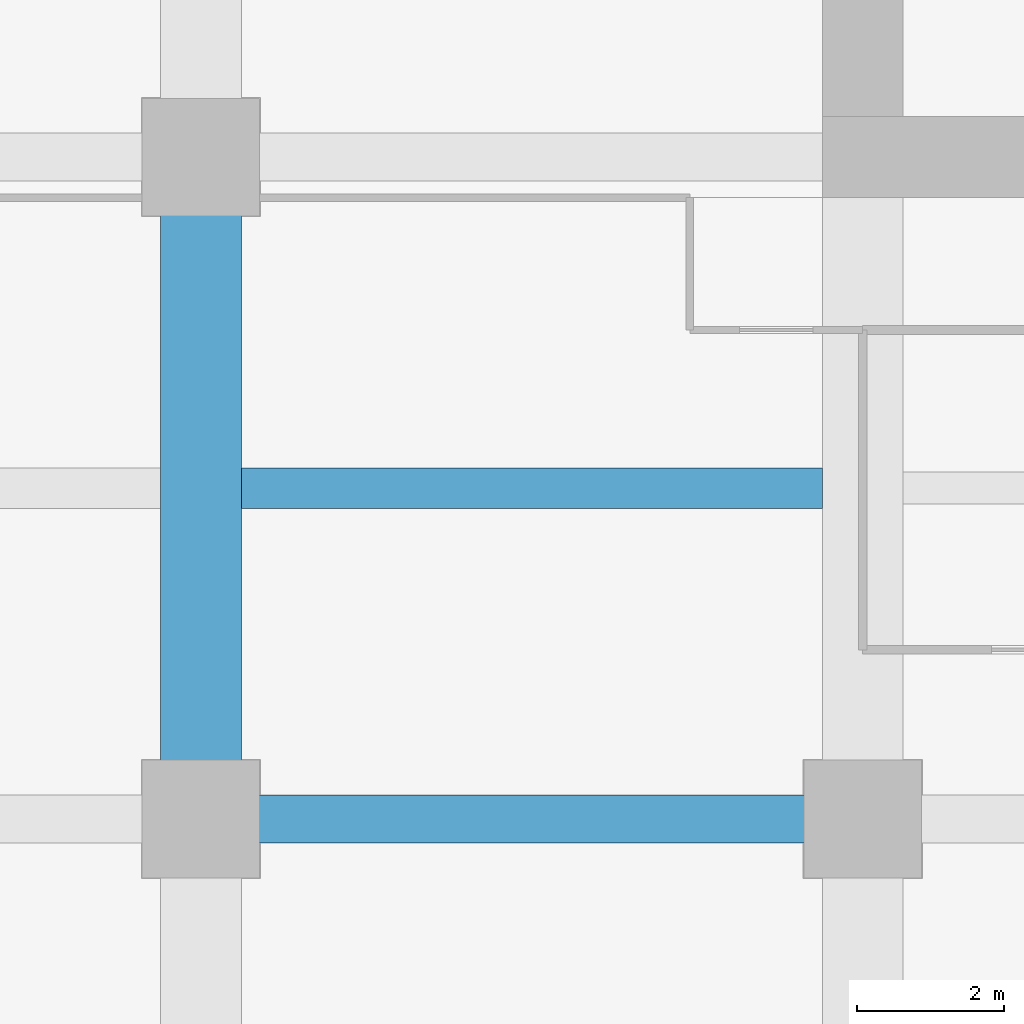
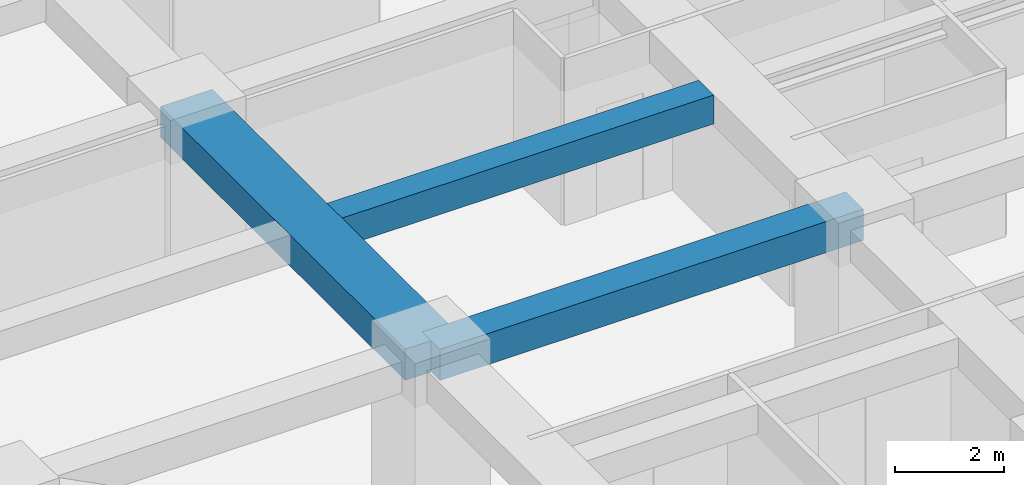
# One storey, part 5 of 34: 3 beams.
"""IFC4 building model written with IfcOpenShell, lengths in metres."""

import ifcopenshell
import ifcopenshell.guid

model = None  # the IFC model being written
_history = None  # IfcOwnerHistory: only IFC2X3 demands one
_inside = {}  # id of a spatial element -> (the spatial element, [elements in it])
_under = {}  # id of a project, library or spatial element -> (it, [spatial elements below it])
_declared = {}  # id of a project -> (the project, [libraries it declares])
_typed = {}  # id of a type object -> (the type object, [elements of that type])
_made_of = {}  # id of a material, layer set ... -> (it, [elements and type objects made of it])


def new_model(schema):
    """Start an empty IFC model of exactly this schema.

    Asked for "IFC4X3", IfcOpenShell would pick the latest addendum, in which some entities
    have other attributes; the version numbers below select the first issue.
    IFC2X3 requires an IfcOwnerHistory on every rooted entity: one is made here for all.
    """
    global model, _history
    if schema == "IFC4X3":
        model = ifcopenshell.file(schema_version=(4, 3, 0, 0))
    else:
        model = ifcopenshell.file(schema=schema)
    _inside.clear()
    _under.clear()
    _declared.clear()
    _typed.clear()
    _made_of.clear()
    _history = None
    if model.schema == "IFC2X3":
        org = make("IfcOrganization", Name="unknown")
        user = make(
            "IfcPersonAndOrganization",
            ThePerson=make("IfcPerson", FamilyName="unknown"),
            TheOrganization=org,
        )
        app = make(
            "IfcApplication",
            ApplicationDeveloper=org,
            Version="unknown",
            ApplicationFullName="unknown",
            ApplicationIdentifier="unknown",
        )
        _history = make(
            "IfcOwnerHistory",
            OwningUser=user,
            OwningApplication=app,
            ChangeAction="ADDED",
            CreationDate=0,
        )
    return model


def make(cls, **values):
    """One entity of the class cls with the attributes given. An attribute that is None is left unset."""
    return model.create_entity(
        cls, **{name: value for name, value in values.items() if value is not None}
    )


def rooted(cls, **values):
    """An entity with a GlobalId (a new one), such as an element, a storey or a relation."""
    return make(cls, GlobalId=ifcopenshell.guid.new(), OwnerHistory=_history, **values)


def si_unit(unit_type, name, prefix=None):
    """IfcSIUnit, for example si_unit("LENGTHUNIT", "METRE", prefix="MILLI")."""
    return make("IfcSIUnit", UnitType=unit_type, Prefix=prefix, Name=name)


def assignment(units):
    """IfcUnitAssignment: the units of a project."""
    return None if units is None else make("IfcUnitAssignment", Units=units)


def point(xyz):
    """IfcCartesianPoint."""
    return None if xyz is None else make("IfcCartesianPoint", Coordinates=xyz)


def direction(xyz):
    """IfcDirection."""
    return None if xyz is None else make("IfcDirection", DirectionRatios=xyz)


def frame(location, z_axis=None, x_axis=None):
    """IfcAxis2Placement3D, a coordinate frame: its origin and axes. An axis left out is left unset."""
    return make(
        "IfcAxis2Placement3D",
        Location=point(location),
        Axis=direction(z_axis),
        RefDirection=direction(x_axis),
    )


def frame_2d(location, x_axis=None):
    """IfcAxis2Placement2D, a coordinate frame in the plane: its origin and x axis."""
    return make(
        "IfcAxis2Placement2D", Location=point(location), RefDirection=direction(x_axis)
    )


def origin():
    """The frame at (0, 0, 0) with its axes left unset."""
    return frame((0.0, 0.0, 0.0))


def origin_2d():
    """The frame at (0, 0) in the plane with its x axis left unset."""
    return frame_2d((0.0, 0.0))


def place(relative_to, where):
    """IfcLocalPlacement: puts the frame where relative to a parent placement (None: the world)."""
    return make(
        "IfcLocalPlacement", PlacementRelTo=relative_to, RelativePlacement=where
    )


def context(
    kind, dimensions, precision=None, world=None, true_north=None, identifier=None
):
    """IfcGeometricRepresentationContext, for example the 3D "Model" context."""
    return make(
        "IfcGeometricRepresentationContext",
        ContextIdentifier=identifier,
        ContextType=kind,
        CoordinateSpaceDimension=dimensions,
        Precision=precision,
        WorldCoordinateSystem=world,
        TrueNorth=true_north,
    )


def subcontext(parent, identifier, kind, view, scale=None):
    """IfcGeometricRepresentationSubContext, for example "Body" below "Model"."""
    return make(
        "IfcGeometricRepresentationSubContext",
        ContextIdentifier=identifier,
        ContextType=kind,
        ParentContext=parent,
        TargetScale=scale,
        TargetView=view,
    )


def project(units=None, contexts=None):
    """IfcProject with its units and contexts."""
    return rooted(
        "IfcProject",
        Name="project",
        RepresentationContexts=contexts,
        UnitsInContext=assignment(units),
    )


def spatial(cls, under=None, at=None, **own):
    """A site, building, storey or space (cls), placed at a placement, below another one or the project."""
    s = rooted(cls, ObjectPlacement=at, **own)
    if under is not None:
        _under.setdefault(under.id(), (under, []))[1].append(s)
    return s


def profile(cls, at=None, kind="AREA", **sizes):
    """A parametric profile (cls). Its sizes go by their IFC names, for example OverallWidth=200.0."""
    return make(cls, ProfileType=kind, Position=at, **sizes)


def rectangle(**sizes):
    """IfcRectangleProfileDef."""
    return profile("IfcRectangleProfileDef", **sizes)


def extrude(swept, where, along, depth):
    """IfcExtrudedAreaSolid: the profile swept, set in the frame where, extruded along a direction by depth."""
    return make(
        "IfcExtrudedAreaSolid",
        SweptArea=swept,
        Position=where,
        ExtrudedDirection=direction(along),
        Depth=depth,
    )


def shape(context_of_items, identifier, shape_type, items):
    """IfcShapeRepresentation: the items that make up one representation, for example the "Body"."""
    return make(
        "IfcShapeRepresentation",
        ContextOfItems=context_of_items,
        RepresentationIdentifier=identifier,
        RepresentationType=shape_type,
        Items=items,
    )


def material(Name=None, Category=None):
    """IfcMaterial."""
    return make("IfcMaterial", Name=Name, Category=Category)


def material_profile(
    of_material, cross_section, Name=None, Category=None, Priority=None
):
    """IfcMaterialProfile: a cross section and its material."""
    return make(
        "IfcMaterialProfile",
        Name=Name,
        Material=of_material,
        Profile=cross_section,
        Priority=Priority,
        Category=Category,
    )


def profile_set(profiles, Name=None, composite=None):
    """IfcMaterialProfileSet."""
    return make(
        "IfcMaterialProfileSet",
        Name=Name,
        MaterialProfiles=profiles,
        CompositeProfile=composite,
    )


def made_of(thing, what):
    """Note that an element or type object is made of a material, layer set ...; save() writes the relation."""
    if what is not None:
        _made_of.setdefault(what.id(), (what, []))[1].append(thing)
    return thing


def type_object(cls, material=None, **own):
    """A type object (cls), such as IfcWallType, which elements share."""
    return made_of(rooted(cls, **own), material)


def element(
    cls,
    number,
    at=None,
    inside=None,
    cuts=None,
    type_object=None,
    material=None,
    context=None,
    identifier="Body",
    shape_type=None,
    held_by="IfcProductDefinitionShape",
    body=None,
    shapes=None,
    **own,
):
    """One element of the class cls, such as IfcWall. Its Tag is "e" and its number.

    at: its placement. inside: the storey or other place that contains it. cuts: it is an
    opening in that element (IfcRelVoidsElement). A single representation is given by context,
    identifier, shape_type and body (its items); several are given by shapes. held_by: the class
    of the entity that holds the representations. save() writes the other relations.
    """
    e = rooted(cls, Tag="e%d" % number, ObjectPlacement=at, **own)
    if body is not None:
        shapes = [shape(context, identifier, shape_type, body)]
    if shapes is not None:
        e.Representation = make(held_by, Representations=shapes)
    if inside is not None:
        _inside.setdefault(inside.id(), (inside, []))[1].append(e)
    if cuts is not None:
        rooted(
            "IfcRelVoidsElement", RelatingBuildingElement=cuts, RelatedOpeningElement=e
        )
    if type_object is not None:
        _typed.setdefault(type_object.id(), (type_object, []))[1].append(e)
    return made_of(e, material)


def aggregate(whole, parts):
    """IfcRelAggregates: a whole, such as a stair, and the parts it consists of."""
    return rooted("IfcRelAggregates", RelatingObject=whole, RelatedObjects=parts)


def save(model, path):
    """Write the relations noted so far, then the file.

    IfcRelAggregates (storeys below a building ...), IfcRelContainedInSpatialStructure (elements
    in a storey), IfcRelDefinesByType, IfcRelAssociatesMaterial and IfcRelDeclares: one each for
    every whole, place, type object, material and project.
    """
    for whole, parts in _under.values():
        aggregate(whole, parts)
    for where, things in _inside.values():
        rooted(
            "IfcRelContainedInSpatialStructure",
            RelatedElements=things,
            RelatingStructure=where,
        )
    for kind, things in _typed.values():
        rooted("IfcRelDefinesByType", RelatedObjects=things, RelatingType=kind)
    for what, things in _made_of.values():
        rooted("IfcRelAssociatesMaterial", RelatedObjects=things, RelatingMaterial=what)
    for by, libraries in _declared.values():
        rooted("IfcRelDeclares", RelatingContext=by, RelatedDefinitions=libraries)
    model.write(path)


model = new_model("IFC4")

# Units and contexts
model_context = context("Model", 3, precision=1e-05, world=origin(), true_north=direction((0.0, 1.0)))
body_context = subcontext(model_context, "Body", "Model", "MODEL_VIEW")
ifc_project = project(units=[si_unit("LENGTHUNIT", "METRE"), si_unit("AREAUNIT", "SQUARE_METRE"), si_unit("VOLUMEUNIT", "CUBIC_METRE"), si_unit("PLANEANGLEUNIT", "RADIAN"), si_unit("MASSUNIT", "GRAM", prefix="KILO")], contexts=[model_context])

# Site, building, storey
site_placement = place(None, origin())
site = spatial("IfcSite", under=ifc_project, at=site_placement, CompositionType="ELEMENT")
building_placement = place(site_placement, origin())
building = spatial("IfcBuilding", under=site, at=building_placement, Name="Zorevar Civic Tower", CompositionType="ELEMENT")
storey_placement = place(building_placement, frame((0.0, 0.0, 174.199951171875)))
storey = spatial("IfcBuildingStorey", under=building, at=storey_placement, Name="L42", CompositionType="ELEMENT", Elevation=174.199951171875)

# Beams
ifc_material_1 = material(Name="Concrete C50/60", Category="concrete")
ifc_material_profile_1 = material_profile(ifc_material_1, rectangle(XDim=1.10009765625, YDim=0.699951171875, at=origin_2d()), Name="RC 1100x700")
ifc_profile_set_1 = profile_set([ifc_material_profile_1], Name="Concrete C50/60")
beam_type_1 = type_object("IfcBeamType", Name="Beam RC 1100x700", PredefinedType="BEAM", material=ifc_profile_set_1)
beam_1_placement = place(storey_placement, frame((9.0, 9.0, 3.400146484375), z_axis=(0.0, 1.0, 0.0), x_axis=(-1.0, 0.0, 0.0)))
element("IfcBeam", 1, at=beam_1_placement, inside=storey, type_object=beam_type_1, Name="Girder L43", PredefinedType="BEAM", context=body_context, shape_type="SweptSolid", body=[
    extrude(rectangle(XDim=1.10009765625, YDim=0.699951171875, at=origin_2d()), origin(), (0.0, 0.0, 1.0), 9.0),
])
ifc_material_2 = material(Name="Concrete C50/60", Category="concrete")
ifc_material_profile_2 = material_profile(ifc_material_2, rectangle(XDim=0.550048828125, YDim=0.64990234375, at=origin_2d()), Name="RC 550x650")
ifc_profile_set_2 = profile_set([ifc_material_profile_2], Name="Concrete C50/60")
beam_type_2 = type_object("IfcBeamType", Name="Beam RC 550x650", PredefinedType="BEAM", material=ifc_profile_set_2)
beam_2_placement = place(storey_placement, frame((9.550048828125, 13.5, 3.425048828125), z_axis=(1.0, 0.0, 0.0), x_axis=(0.0, 1.0, 0.0)))
element("IfcBeam", 2, at=beam_2_placement, inside=storey, type_object=beam_type_2, Name="Secondary beam L43", PredefinedType="BEAM", context=body_context, shape_type="SweptSolid", body=[
    extrude(rectangle(XDim=0.550048828125, YDim=0.64990234375, at=origin_2d()), origin(), (0.0, 0.0, 1.0), 7.89990234375),
])
ifc_material_3 = material(Name="Concrete C50/60", Category="concrete")
ifc_material_profile_3 = material_profile(ifc_material_3, rectangle(XDim=0.64990234375, YDim=0.699951171875, at=origin_2d()), Name="RC 650x700")
ifc_profile_set_3 = profile_set([ifc_material_profile_3], Name="Concrete C50/60")
beam_type_3 = type_object("IfcBeamType", Name="Beam RC 650x700", PredefinedType="BEAM", material=ifc_profile_set_3)
beam_3_placement = place(storey_placement, frame((9.0, 9.0, 3.400146484375), z_axis=(1.0, 0.0, 0.0), x_axis=(0.0, 1.0, 0.0)))
element("IfcBeam", 3, at=beam_3_placement, inside=storey, type_object=beam_type_3, Name="Girder L43", PredefinedType="BEAM", context=body_context, shape_type="SweptSolid", body=[
    extrude(rectangle(XDim=0.64990234375, YDim=0.699951171875, at=origin_2d()), origin(), (0.0, 0.0, 1.0), 9.0),
])

save(model, "model.ifc")
